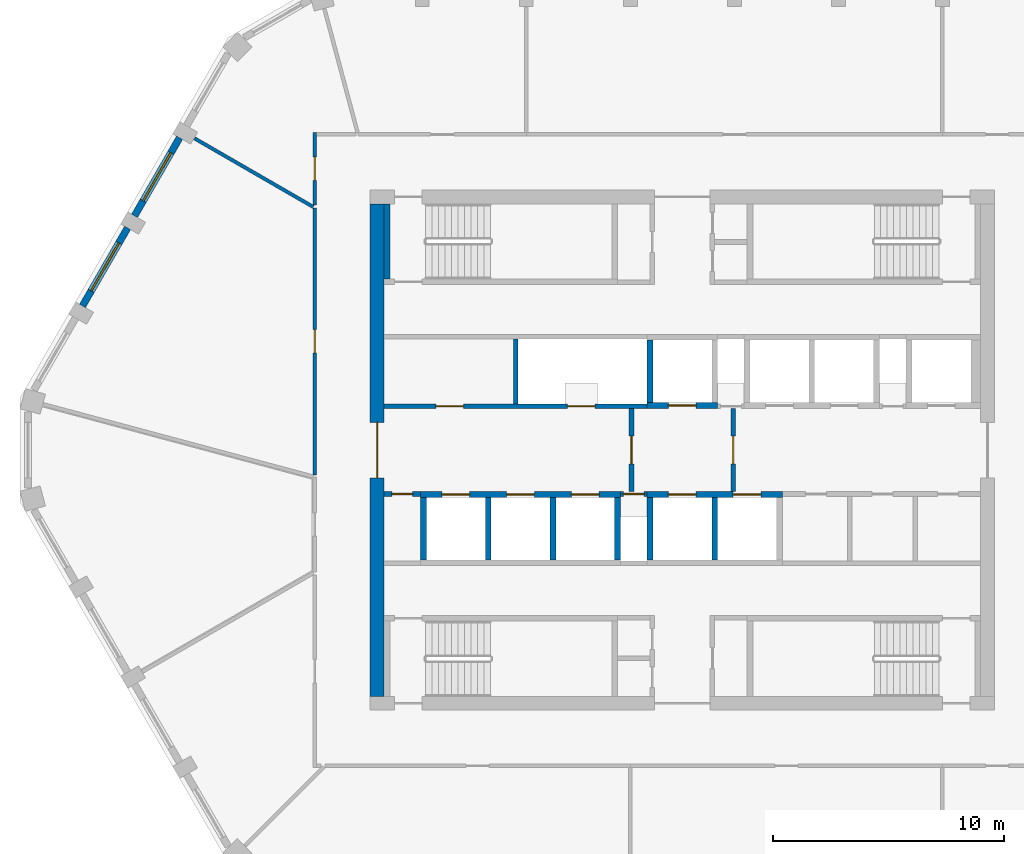
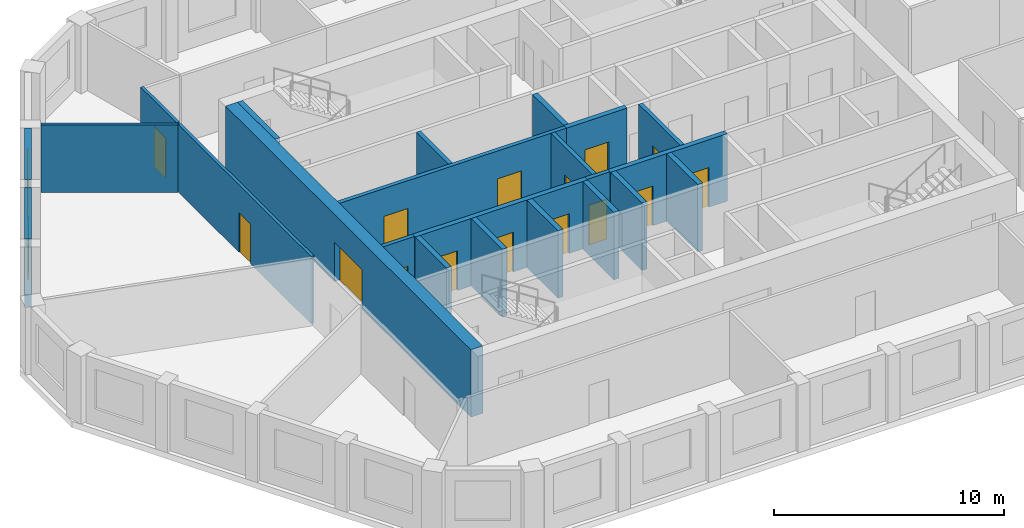
# One storey, part 3 of 9: 23 walls, 15 doors, 2 windows, 17 openings.
"""IFC4 building model written with IfcOpenShell, lengths in metres."""

from ifc_helpers import new_model, si_unit, direction, frame, frame_2d, origin, place, context, subcontext, project, spatial, polyline, rectangle, outline, extrude, material, layer, layer_set, type_object, element, fill, save


model = new_model("IFC4")

# Units and contexts
model_context = context("Model", 3, precision=1e-05, world=origin(), true_north=direction((0.0, 1.0)))
body_context = subcontext(model_context, "Body", "Model", "MODEL_VIEW")
ifc_project = project(units=[si_unit("LENGTHUNIT", "METRE"), si_unit("AREAUNIT", "SQUARE_METRE"), si_unit("VOLUMEUNIT", "CUBIC_METRE"), si_unit("PLANEANGLEUNIT", "RADIAN"), si_unit("MASSUNIT", "GRAM", prefix="KILO")], contexts=[model_context])

# Site, building, storey
site_placement = place(None, origin())
site = spatial("IfcSite", under=ifc_project, at=site_placement, CompositionType="ELEMENT")
building_placement = place(site_placement, origin())
building = spatial("IfcBuilding", under=site, at=building_placement, Name="Dhurran Vertical Campus", CompositionType="ELEMENT")
storey_placement = place(building_placement, frame((0.0, 0.0, 290.39990234375)))
storey = spatial("IfcBuildingStorey", under=building, at=storey_placement, Name="L72", CompositionType="ELEMENT", Elevation=290.39990234375)

# Wall, opening, window
ifc_material_1 = material(Name="Precast concrete C50/60", Category="concrete")
ifc_layer_1 = layer(ifc_material_1, 0.300048828125)
ifc_layer_set_1 = layer_set([ifc_layer_1], Name="Precast concrete C50/60")
wall_type_1 = type_object("IfcWallType", Name="Precast spandrel wall 300", PredefinedType="SOLIDWALL", material=ifc_layer_set_1)
wall_1_placement = place(storey_placement, frame((-21.744384765625, 13.506103515625, 0.0), z_axis=(0.0, 0.0, 1.0), x_axis=(-0.499984428715, -0.866034393683, 0.0)))
wall_1 = element("IfcWall", 1, at=wall_1_placement, inside=storey, type_object=wall_type_1, Name="EW1 L72.27", PredefinedType="SOLIDWALL", context=body_context, shape_type="SweptSolid", body=[
    extrude(rectangle(XDim=3.89892578125, YDim=0.300048828125, at=frame_2d((1.949462890625, 0.0))), origin(), (0.0, 0.0, 1.0), 3.5751953125),
])
opening_1_placement = place(wall_1_placement, frame((0.74951171875, 0.0, 0.89990234375)))
opening_1 = element("IfcOpeningElement", 2, at=opening_1_placement, cuts=wall_1, Name="Opening WT1", PredefinedType="OPENING", context=body_context, shape_type="SweptSolid", body=[
    extrude(rectangle(XDim=2.39990234375, YDim=2.10009765625, at=frame_2d((1.199951171875, 1.050048828125))), frame((0.0, 0.159912109375, 0.0), z_axis=(0.0, -1.0, 0.0), x_axis=(1.0, 0.0, 0.0)), (0.0, 0.0, 1.0), 0.320068359375),
])
ifc_material_2 = material(Name="Aluminium frame with solar-control glass", Category="aluminium")
window_type = type_object("IfcWindowType", Name="Punched window 2400 x 2100", PartitioningType="SINGLE_PANEL", PredefinedType="WINDOW", material=ifc_material_2)
window_1_placement = place(opening_1_placement, origin())
window_1 = element("IfcWindow", 3, at=window_1_placement, inside=storey, type_object=window_type, Name="WT1 L72.27", OverallHeight=2.10009765625, OverallWidth=2.39990234375, PartitioningType="SINGLE_PANEL", PredefinedType="WINDOW", context=body_context, shape_type="SweptSolid", body=[
    extrude(rectangle(XDim=2.39990234375, YDim=2.10009765625, at=frame_2d((1.199951171875, 1.050048828125))), frame((0.0, 0.030029296875, 0.0), z_axis=(0.0, -1.0, 0.0), x_axis=(1.0, 0.0, 0.0)), (0.0, 0.0, 1.0), 0.06005859375),
])
fill(opening_1, window_1)

wall_2_placement = place(storey_placement, frame((-23.994384765625, 9.60888671875, 0.0), z_axis=(0.0, 0.0, 1.0), x_axis=(-0.500011542666, -0.866018739521, 0.0)))
wall_2 = element("IfcWall", 4, at=wall_2_placement, inside=storey, type_object=wall_type_1, Name="EW1 L72.28", PredefinedType="SOLIDWALL", context=body_context, shape_type="SweptSolid", body=[
    extrude(rectangle(XDim=3.89892578125, YDim=0.300048828125, at=frame_2d((1.949462890625, 0.0))), origin(), (0.0, 0.0, 1.0), 3.5751953125),
])
opening_2_placement = place(wall_2_placement, frame((0.74951171875, 0.0, 0.89990234375)))
opening_2 = element("IfcOpeningElement", 5, at=opening_2_placement, cuts=wall_2, Name="Opening WT1", PredefinedType="OPENING", context=body_context, shape_type="SweptSolid", body=[
    extrude(rectangle(XDim=2.39990234375, YDim=2.10009765625, at=frame_2d((1.199951171875, 1.050048828125))), frame((0.0, 0.159912109375, 0.0), z_axis=(0.0, -1.0, 0.0), x_axis=(1.0, 0.0, 0.0)), (0.0, 0.0, 1.0), 0.320068359375),
])
window_2_placement = place(opening_2_placement, origin())
window_2 = element("IfcWindow", 6, at=window_2_placement, inside=storey, type_object=window_type, Name="WT1 L72.28", OverallHeight=2.10009765625, OverallWidth=2.39990234375, PartitioningType="SINGLE_PANEL", PredefinedType="WINDOW", context=body_context, shape_type="SweptSolid", body=[
    extrude(rectangle(XDim=2.39990234375, YDim=2.10009765625, at=frame_2d((1.199951171875, 1.050048828125))), frame((0.0, 0.030029296875, 0.0), z_axis=(0.0, -1.0, 0.0), x_axis=(1.0, 0.0, 0.0)), (0.0, 0.0, 1.0), 0.06005859375),
])
fill(opening_2, window_2)

# Wall, opening, door
ifc_material_3 = material(Name="Concrete C50/60", Category="concrete")
ifc_layer_2 = layer(ifc_material_3, 0.60009765625)
ifc_layer_set_2 = layer_set([ifc_layer_2], Name="Concrete C50/60")
wall_type_2 = type_object("IfcWallType", Name="co-CORE-WALL-C2-600", PredefinedType="SHEAR", material=ifc_layer_set_2)
wall_3_placement = place(storey_placement, frame((-13.199951171875, -10.64990234375, 0.0), z_axis=(0.0, 0.0, 1.0), x_axis=(0.0, 1.0, 0.0)))
wall_3 = element("IfcWall", 7, at=wall_3_placement, inside=storey, type_object=wall_type_2, Name="Core wall W L72", PredefinedType="SHEAR", context=body_context, shape_type="SweptSolid", body=[
    extrude(rectangle(XDim=21.2998046875, YDim=0.60009765625, at=frame_2d((10.64990234375, 0.0))), origin(), (0.0, 0.0, 1.0), 3.5751953125),
])
opening_3_placement = place(wall_3_placement, frame((9.449951171875, 0.0, 0.0)))
opening_3 = element("IfcOpeningElement", 8, at=opening_3_placement, cuts=wall_3, Name="Opening CL1", PredefinedType="OPENING", context=body_context, shape_type="SweptSolid", body=[
    extrude(rectangle(XDim=2.39990234375, YDim=2.10009765625, at=frame_2d((1.199951171875, 1.050048828125))), frame((0.0, 0.31005859375, 0.0), z_axis=(0.0, -1.0, 0.0), x_axis=(1.0, 0.0, 0.0)), (0.0, 0.0, 1.0), 0.6201171875),
])
ifc_material_4 = material(Name="Fire-rated glazed door set")
door_type_1 = type_object("IfcDoorType", Name="co-D-LOBBY 2400x2100", OperationType="DOUBLE_DOOR_DOUBLE_SWING", PredefinedType="DOOR", material=ifc_material_4)
door_1_placement = place(opening_3_placement, origin())
door_1 = element("IfcDoor", 9, at=door_1_placement, inside=storey, type_object=door_type_1, Name="Lift lobby door W L72", OperationType="DOUBLE_DOOR_DOUBLE_SWING", OverallHeight=2.10009765625, OverallWidth=2.39990234375, PredefinedType="DOOR", context=body_context, shape_type="SweptSolid", body=[
    extrude(rectangle(XDim=2.39990234375, YDim=2.10009765625, at=frame_2d((1.199951171875, 1.050048828125))), frame((0.0, 0.02490234375, 0.0), z_axis=(0.0, -1.0, 0.0), x_axis=(1.0, 0.0, 0.0)), (0.0, 0.0, 1.0), 0.050048828125),
])
fill(opening_3, door_1)

ifc_material_5 = material(Name="Fire-rated masonry blockwork", Category="masonry")
ifc_layer_3 = layer(ifc_material_5, 0.199951171875)
ifc_layer_set_3 = layer_set([ifc_layer_3], Name="Fire-rated masonry blockwork")
wall_type_3 = type_object("IfcWallType", Name="co-FIRE-PARTITION-200", PredefinedType="PARTITIONING", material=ifc_layer_set_3)
wall_4_placement = place(storey_placement, frame((-2.199951171875, -1.800048828125, 0.0), z_axis=(0.0, 0.0, 1.0), x_axis=(0.0, 1.0, 0.0)))
wall_4 = element("IfcWall", 10, at=wall_4_placement, inside=storey, type_object=wall_type_3, Name="Firefighting lobby wall W L72", PredefinedType="PARTITIONING", context=body_context, shape_type="SweptSolid", body=[
    extrude(rectangle(XDim=3.60009765625, YDim=0.199951171875, at=frame_2d((1.800048828125, 0.0))), origin(), (0.0, 0.0, 1.0), 3.5751953125),
])
opening_4_placement = place(wall_4_placement, frame((1.199951171875, 0.0, 0.0)))
opening_4 = element("IfcOpeningElement", 11, at=opening_4_placement, cuts=wall_4, Name="Opening FL1", PredefinedType="OPENING", context=body_context, shape_type="SweptSolid", body=[
    extrude(rectangle(XDim=1.199951171875, YDim=2.10009765625, at=frame_2d((0.60009765625, 1.050048828125))), frame((0.0, 0.10986328125, 0.0), z_axis=(0.0, -1.0, 0.0), x_axis=(1.0, 0.0, 0.0)), (0.0, 0.0, 1.0), 0.219970703125),
])
ifc_material_6 = material(Name="Fire-rated steel door set", Category="steel")
door_type_2 = type_object("IfcDoorType", Name="co-D-FFLOBBY 1200x2100", OperationType="SINGLE_SWING_LEFT", PredefinedType="DOOR", material=ifc_material_6)
door_2_placement = place(opening_4_placement, origin())
door_2 = element("IfcDoor", 12, at=door_2_placement, inside=storey, type_object=door_type_2, Name="Firefighting lobby door W L72", OperationType="SINGLE_SWING_LEFT", OverallHeight=2.10009765625, OverallWidth=1.199951171875, PredefinedType="DOOR", context=body_context, shape_type="SweptSolid", body=[
    extrude(rectangle(XDim=1.199951171875, YDim=2.10009765625, at=frame_2d((0.60009765625, 1.050048828125))), frame((0.0, 0.02490234375, 0.0), z_axis=(0.0, -1.0, 0.0), x_axis=(1.0, 0.0, 0.0)), (0.0, 0.0, 1.0), 0.050048828125),
])
fill(opening_4, door_2)

wall_5_placement = place(storey_placement, frame((2.199951171875, -1.800048828125, 0.0), z_axis=(0.0, 0.0, 1.0), x_axis=(0.0, 1.0, 0.0)))
wall_5 = element("IfcWall", 13, at=wall_5_placement, inside=storey, type_object=wall_type_3, Name="Firefighting lobby wall E L72", PredefinedType="PARTITIONING", context=body_context, shape_type="SweptSolid", body=[
    extrude(rectangle(XDim=3.60009765625, YDim=0.199951171875, at=frame_2d((1.800048828125, 0.0))), origin(), (0.0, 0.0, 1.0), 3.5751953125),
])
opening_5_placement = place(wall_5_placement, frame((1.199951171875, 0.0, 0.0)))
opening_5 = element("IfcOpeningElement", 14, at=opening_5_placement, cuts=wall_5, Name="Opening FL2", PredefinedType="OPENING", context=body_context, shape_type="SweptSolid", body=[
    extrude(rectangle(XDim=1.199951171875, YDim=2.10009765625, at=frame_2d((0.60009765625, 1.050048828125))), frame((0.0, 0.10986328125, 0.0), z_axis=(0.0, -1.0, 0.0), x_axis=(1.0, 0.0, 0.0)), (0.0, 0.0, 1.0), 0.219970703125),
])
door_3_placement = place(opening_5_placement, origin())
door_3 = element("IfcDoor", 15, at=door_3_placement, inside=storey, type_object=door_type_2, Name="Firefighting lobby door E L72", OperationType="SINGLE_SWING_LEFT", OverallHeight=2.10009765625, OverallWidth=1.199951171875, PredefinedType="DOOR", context=body_context, shape_type="SweptSolid", body=[
    extrude(rectangle(XDim=1.199951171875, YDim=2.10009765625, at=frame_2d((0.60009765625, 1.050048828125))), frame((0.0, 0.02490234375, 0.0), z_axis=(0.0, -1.0, 0.0), x_axis=(1.0, 0.0, 0.0)), (0.0, 0.0, 1.0), 0.050048828125),
])
fill(opening_5, door_3)

# Wall
wall_6_placement = place(storey_placement, frame((-7.21240234375, 2.0, 0.0), z_axis=(0.0, 0.0, 1.0), x_axis=(0.0, 1.0, 0.0)))
element("IfcWall", 16, at=wall_6_placement, inside=storey, type_object=wall_type_3, Name="Core partition fr-N0-cut0 L72", PredefinedType="PARTITIONING", context=body_context, shape_type="SweptSolid", body=[
    extrude(rectangle(XDim=2.800048828125, YDim=0.199951171875, at=frame_2d((1.39990234375, 0.0))), origin(), (0.0, 0.0, 1.0), 3.5751953125),
])

# Wall, openings, doors
wall_7_placement = place(storey_placement, frame((-12.89990234375, 1.89990234375, 0.0), z_axis=(0.0, 0.0, 1.0), x_axis=(1.0, 0.0, 0.0)))
wall_7 = element("IfcWall", 17, at=wall_7_placement, inside=storey, type_object=wall_type_3, Name="Core partition fr-N0-f L72", PredefinedType="PARTITIONING", context=body_context, shape_type="SweptSolid", body=[
    extrude(rectangle(XDim=11.375, YDim=0.199951171875, at=frame_2d((5.6875, 0.0))), origin(), (0.0, 0.0, 1.0), 3.5751953125),
])
opening_6_placement = place(wall_7_placement, frame((2.243896484375, 0.0, 0.0)))
opening_6 = element("IfcOpeningElement", 18, at=opening_6_placement, cuts=wall_7, Name="Opening T21-C7", PredefinedType="OPENING", context=body_context, shape_type="SweptSolid", body=[
    extrude(rectangle(XDim=1.199951171875, YDim=2.10009765625, at=frame_2d((0.60009765625, 1.050048828125))), frame((0.0, 0.10986328125, 0.0), z_axis=(0.0, -1.0, 0.0), x_axis=(1.0, 0.0, 0.0)), (0.0, 0.0, 1.0), 0.219970703125),
])
opening_7_placement = place(wall_7_placement, frame((7.931396484375, 0.0, 0.0)))
opening_7 = element("IfcOpeningElement", 19, at=opening_7_placement, cuts=wall_7, Name="Opening T21-C8", PredefinedType="OPENING", context=body_context, shape_type="SweptSolid", body=[
    extrude(rectangle(XDim=1.199951171875, YDim=2.10009765625, at=frame_2d((0.60009765625, 1.050048828125))), frame((0.0, 0.10986328125, 0.0), z_axis=(0.0, -1.0, 0.0), x_axis=(1.0, 0.0, 0.0)), (0.0, 0.0, 1.0), 0.219970703125),
])
ifc_material_7 = material(Name="Fire-rated steel door set", Category="steel")
door_type_3 = type_object("IfcDoorType", Name="co-D-ROOM-PASSAGE 1200x2100", OperationType="SINGLE_SWING_RIGHT", PredefinedType="DOOR", material=ifc_material_7)
door_4_placement = place(opening_6_placement, origin())
door_4 = element("IfcDoor", 20, at=door_4_placement, inside=storey, type_object=door_type_3, Name="Store door L72", OperationType="SINGLE_SWING_RIGHT", OverallHeight=2.10009765625, OverallWidth=1.199951171875, PredefinedType="DOOR", context=body_context, shape_type="SweptSolid", body=[
    extrude(rectangle(XDim=1.199951171875, YDim=2.10009765625, at=frame_2d((0.60009765625, 1.050048828125))), frame((0.0, 0.02490234375, 0.0), z_axis=(0.0, -1.0, 0.0), x_axis=(1.0, 0.0, 0.0)), (0.0, 0.0, 1.0), 0.050048828125),
])
fill(opening_6, door_4)
door_5_placement = place(opening_7_placement, origin())
door_5 = element("IfcDoor", 21, at=door_5_placement, inside=storey, type_object=door_type_3, Name="Electrical riser door L72", OperationType="SINGLE_SWING_RIGHT", OverallHeight=2.10009765625, OverallWidth=1.199951171875, PredefinedType="DOOR", context=body_context, shape_type="SweptSolid", body=[
    extrude(rectangle(XDim=1.199951171875, YDim=2.10009765625, at=frame_2d((0.60009765625, 1.050048828125))), frame((0.0, 0.02490234375, 0.0), z_axis=(0.0, -1.0, 0.0), x_axis=(1.0, 0.0, 0.0)), (0.0, 0.0, 1.0), 0.050048828125),
])
fill(opening_7, door_5)

# Wall, opening, door
wall_8_placement = place(storey_placement, frame((-12.89990234375, -1.89990234375, 0.0), z_axis=(0.0, 0.0, 1.0), x_axis=(1.0, 0.0, 0.0)))
wall_8 = element("IfcWall", 22, at=wall_8_placement, inside=storey, type_object=wall_type_3, Name="Core partition fr-S0-f L72", PredefinedType="PARTITIONING", context=body_context, shape_type="SweptSolid", body=[
    extrude(rectangle(XDim=1.574951171875, YDim=0.199951171875, at=frame_2d((0.78759765625, 0.0))), origin(), (0.0, 0.0, 1.0), 3.5751953125),
])
opening_8_placement = place(wall_8_placement, frame((0.33740234375, 0.0, 0.0)))
opening_8 = element("IfcOpeningElement", 23, at=opening_8_placement, cuts=wall_8, Name="Opening T21-C11", PredefinedType="OPENING", context=body_context, shape_type="SweptSolid", body=[
    extrude(rectangle(XDim=0.89990234375, YDim=2.10009765625, at=frame_2d((0.449951171875, 1.050048828125))), frame((0.0, 0.10986328125, 0.0), z_axis=(0.0, -1.0, 0.0), x_axis=(1.0, 0.0, 0.0)), (0.0, 0.0, 1.0), 0.219970703125),
])
ifc_material_8 = material(Name="Fire-rated timber door set", Category="wood")
door_type_4 = type_object("IfcDoorType", Name="co-D-ROOM 900x2100", OperationType="SINGLE_SWING_LEFT", PredefinedType="DOOR", material=ifc_material_8)
door_6_placement = place(opening_8_placement, origin())
door_6 = element("IfcDoor", 24, at=door_6_placement, inside=storey, type_object=door_type_4, Name="Cleaner's store door L72", OperationType="SINGLE_SWING_LEFT", OverallHeight=2.10009765625, OverallWidth=0.89990234375, PredefinedType="DOOR", context=body_context, shape_type="SweptSolid", body=[
    extrude(rectangle(XDim=0.89990234375, YDim=2.10009765625, at=frame_2d((0.449951171875, 1.050048828125))), frame((0.0, 0.02490234375, 0.0), z_axis=(0.0, -1.0, 0.0), x_axis=(1.0, 0.0, 0.0)), (0.0, 0.0, 1.0), 0.050048828125),
])
fill(opening_8, door_6)

wall_9_placement = place(storey_placement, frame((-2.675048828125, -1.89990234375, 0.0), z_axis=(0.0, 0.0, 1.0), x_axis=(1.0, 0.0, 0.0)))
wall_9 = element("IfcWall", 25, at=wall_9_placement, inside=storey, type_object=wall_type_3, Name="Core partition fr-S1-f L72", PredefinedType="PARTITIONING", context=body_context, shape_type="SweptSolid", body=[
    extrude(rectangle(XDim=1.150146484375, YDim=0.199951171875, at=frame_2d((0.5751953125, 0.0))), origin(), (0.0, 0.0, 1.0), 3.5751953125),
])
opening_9_placement = place(wall_9_placement, frame((0.125, 0.0, 0.0)))
opening_9 = element("IfcOpeningElement", 26, at=opening_9_placement, cuts=wall_9, Name="Opening T21-C12", PredefinedType="OPENING", context=body_context, shape_type="SweptSolid", body=[
    extrude(rectangle(XDim=0.89990234375, YDim=2.10009765625, at=frame_2d((0.449951171875, 1.050048828125))), frame((0.0, 0.10986328125, 0.0), z_axis=(0.0, -1.0, 0.0), x_axis=(1.0, 0.0, 0.0)), (0.0, 0.0, 1.0), 0.219970703125),
])
door_7_placement = place(opening_9_placement, origin())
door_7 = element("IfcDoor", 27, at=door_7_placement, inside=storey, type_object=door_type_4, Name="Electrical riser door L72", OperationType="SINGLE_SWING_LEFT", OverallHeight=2.10009765625, OverallWidth=0.89990234375, PredefinedType="DOOR", context=body_context, shape_type="SweptSolid", body=[
    extrude(rectangle(XDim=0.89990234375, YDim=2.10009765625, at=frame_2d((0.449951171875, 1.050048828125))), frame((0.0, 0.02490234375, 0.0), z_axis=(0.0, -1.0, 0.0), x_axis=(1.0, 0.0, 0.0)), (0.0, 0.0, 1.0), 0.050048828125),
])
fill(opening_9, door_7)

ifc_material_9 = material(Name="Concrete C50/60", Category="concrete")
ifc_layer_4 = layer(ifc_material_9, 0.25)
ifc_layer_set_4 = layer_set([ifc_layer_4], Name="Concrete C50/60")
wall_type_4 = type_object("IfcWallType", Name="co-SHAFT-FRONT-250", PredefinedType="SHEAR", material=ifc_layer_set_4)
wall_10_placement = place(storey_placement, frame((-1.52490234375, 1.925048828125, 0.0), z_axis=(0.0, 0.0, 1.0), x_axis=(1.0, 0.0, 0.0)))
wall_10 = element("IfcWall", 28, at=wall_10_placement, inside=storey, type_object=wall_type_4, Name="Lift landing wall N L72", PredefinedType="SHEAR", context=body_context, shape_type="SweptSolid", body=[
    extrude(rectangle(XDim=3.0498046875, YDim=0.25, at=frame_2d((1.52490234375, 0.0))), origin(), (0.0, 0.0, 1.0), 3.5751953125),
])
opening_10_placement = place(wall_10_placement, frame((0.925048828125, 0.0, 0.0)))
opening_10 = element("IfcOpeningElement", 29, at=opening_10_placement, cuts=wall_10, Name="Opening LD", PredefinedType="OPENING", context=body_context, shape_type="SweptSolid", body=[
    extrude(rectangle(XDim=1.199951171875, YDim=2.10009765625, at=frame_2d((0.60009765625, 1.050048828125))), frame((0.0, 0.135009765625, 0.0), z_axis=(0.0, -1.0, 0.0), x_axis=(1.0, 0.0, 0.0)), (0.0, 0.0, 1.0), 0.27001953125),
])
ifc_material_10 = material(Name="Stainless steel landing door", Category="steel")
door_type_5 = type_object("IfcDoorType", Name="co-D-LANDING 1200x2100", OperationType="DOUBLE_DOOR_SLIDING", PredefinedType="DOOR", material=ifc_material_10)
door_8_placement = place(opening_10_placement, origin())
door_8 = element("IfcDoor", 30, at=door_8_placement, inside=storey, type_object=door_type_5, Name="Landing door FF1 L72", OperationType="DOUBLE_DOOR_SLIDING", OverallHeight=2.10009765625, OverallWidth=1.199951171875, PredefinedType="DOOR", context=body_context, shape_type="SweptSolid", body=[
    extrude(rectangle(XDim=1.199951171875, YDim=2.10009765625, at=frame_2d((0.60009765625, 1.050048828125))), frame((0.0, 0.02490234375, 0.0), z_axis=(0.0, -1.0, 0.0), x_axis=(1.0, 0.0, 0.0)), (0.0, 0.0, 1.0), 0.050048828125),
])
fill(opening_10, door_8)

# Wall, openings, doors
wall_11_placement = place(storey_placement, frame((-11.324951171875, -1.925048828125, 0.0), z_axis=(0.0, 0.0, 1.0), x_axis=(1.0, 0.0, 0.0)))
wall_11 = element("IfcWall", 31, at=wall_11_placement, inside=storey, type_object=wall_type_4, Name="Lift landing wall S L72", PredefinedType="SHEAR", context=body_context, shape_type="SweptSolid", body=[
    extrude(rectangle(XDim=8.64990234375, YDim=0.25, at=frame_2d((4.324951171875, 0.0))), origin(), (0.0, 0.0, 1.0), 3.5751953125),
])
opening_11_placement = place(wall_11_placement, frame((0.925048828125, 0.0, 0.0)))
opening_11 = element("IfcOpeningElement", 32, at=opening_11_placement, cuts=wall_11, Name="Opening LD", PredefinedType="OPENING", context=body_context, shape_type="SweptSolid", body=[
    extrude(rectangle(XDim=1.199951171875, YDim=2.10009765625, at=frame_2d((0.60009765625, 1.050048828125))), frame((0.0, 0.135009765625, 0.0), z_axis=(0.0, -1.0, 0.0), x_axis=(1.0, 0.0, 0.0)), (0.0, 0.0, 1.0), 0.27001953125),
])
opening_12_placement = place(wall_11_placement, frame((3.72509765625, 0.0, 0.0)))
opening_12 = element("IfcOpeningElement", 33, at=opening_12_placement, cuts=wall_11, Name="Opening LD", PredefinedType="OPENING", context=body_context, shape_type="SweptSolid", body=[
    extrude(rectangle(XDim=1.199951171875, YDim=2.10009765625, at=frame_2d((0.60009765625, 1.050048828125))), frame((0.0, 0.135009765625, 0.0), z_axis=(0.0, -1.0, 0.0), x_axis=(1.0, 0.0, 0.0)), (0.0, 0.0, 1.0), 0.27001953125),
])
opening_13_placement = place(wall_11_placement, frame((6.52490234375, 0.0, 0.0)))
opening_13 = element("IfcOpeningElement", 34, at=opening_13_placement, cuts=wall_11, Name="Opening LD", PredefinedType="OPENING", context=body_context, shape_type="SweptSolid", body=[
    extrude(rectangle(XDim=1.199951171875, YDim=2.10009765625, at=frame_2d((0.60009765625, 1.050048828125))), frame((0.0, 0.135009765625, 0.0), z_axis=(0.0, -1.0, 0.0), x_axis=(1.0, 0.0, 0.0)), (0.0, 0.0, 1.0), 0.27001953125),
])
door_9_placement = place(opening_11_placement, origin())
door_9 = element("IfcDoor", 35, at=door_9_placement, inside=storey, type_object=door_type_5, Name="Landing door HR3 L72", OperationType="DOUBLE_DOOR_SLIDING", OverallHeight=2.10009765625, OverallWidth=1.199951171875, PredefinedType="DOOR", context=body_context, shape_type="SweptSolid", body=[
    extrude(rectangle(XDim=1.199951171875, YDim=2.10009765625, at=frame_2d((0.60009765625, 1.050048828125))), frame((0.0, 0.02490234375, 0.0), z_axis=(0.0, -1.0, 0.0), x_axis=(1.0, 0.0, 0.0)), (0.0, 0.0, 1.0), 0.050048828125),
])
fill(opening_11, door_9)
door_10_placement = place(opening_12_placement, origin())
door_10 = element("IfcDoor", 36, at=door_10_placement, inside=storey, type_object=door_type_5, Name="Landing door HR4 L72", OperationType="DOUBLE_DOOR_SLIDING", OverallHeight=2.10009765625, OverallWidth=1.199951171875, PredefinedType="DOOR", context=body_context, shape_type="SweptSolid", body=[
    extrude(rectangle(XDim=1.199951171875, YDim=2.10009765625, at=frame_2d((0.60009765625, 1.050048828125))), frame((0.0, 0.02490234375, 0.0), z_axis=(0.0, -1.0, 0.0), x_axis=(1.0, 0.0, 0.0)), (0.0, 0.0, 1.0), 0.050048828125),
])
fill(opening_12, door_10)
door_11_placement = place(opening_13_placement, origin())
door_11 = element("IfcDoor", 37, at=door_11_placement, inside=storey, type_object=door_type_5, Name="Landing door HR5 L72", OperationType="DOUBLE_DOOR_SLIDING", OverallHeight=2.10009765625, OverallWidth=1.199951171875, PredefinedType="DOOR", context=body_context, shape_type="SweptSolid", body=[
    extrude(rectangle(XDim=1.199951171875, YDim=2.10009765625, at=frame_2d((0.60009765625, 1.050048828125))), frame((0.0, 0.02490234375, 0.0), z_axis=(0.0, -1.0, 0.0), x_axis=(1.0, 0.0, 0.0)), (0.0, 0.0, 1.0), 0.050048828125),
])
fill(opening_13, door_11)

wall_12_placement = place(storey_placement, frame((-1.52490234375, -1.925048828125, 0.0), z_axis=(0.0, 0.0, 1.0), x_axis=(1.0, 0.0, 0.0)))
wall_12 = element("IfcWall", 38, at=wall_12_placement, inside=storey, type_object=wall_type_4, Name="Lift landing wall S L72", PredefinedType="SHEAR", context=body_context, shape_type="SweptSolid", body=[
    extrude(rectangle(XDim=5.849853515625, YDim=0.25, at=frame_2d((2.9248046875, 0.0))), origin(), (0.0, 0.0, 1.0), 3.5751953125),
])
opening_14_placement = place(wall_12_placement, frame((0.925048828125, 0.0, 0.0)))
opening_14 = element("IfcOpeningElement", 39, at=opening_14_placement, cuts=wall_12, Name="Opening LD", PredefinedType="OPENING", context=body_context, shape_type="SweptSolid", body=[
    extrude(rectangle(XDim=1.199951171875, YDim=2.10009765625, at=frame_2d((0.60009765625, 1.050048828125))), frame((0.0, 0.135009765625, 0.0), z_axis=(0.0, -1.0, 0.0), x_axis=(1.0, 0.0, 0.0)), (0.0, 0.0, 1.0), 0.27001953125),
])
opening_15_placement = place(wall_12_placement, frame((3.72509765625, 0.0, 0.0)))
opening_15 = element("IfcOpeningElement", 40, at=opening_15_placement, cuts=wall_12, Name="Opening LD", PredefinedType="OPENING", context=body_context, shape_type="SweptSolid", body=[
    extrude(rectangle(XDim=1.199951171875, YDim=2.10009765625, at=frame_2d((0.60009765625, 1.050048828125))), frame((0.0, 0.135009765625, 0.0), z_axis=(0.0, -1.0, 0.0), x_axis=(1.0, 0.0, 0.0)), (0.0, 0.0, 1.0), 0.27001953125),
])
door_12_placement = place(opening_14_placement, origin())
door_12 = element("IfcDoor", 41, at=door_12_placement, inside=storey, type_object=door_type_5, Name="Landing door FF2 L72", OperationType="DOUBLE_DOOR_SLIDING", OverallHeight=2.10009765625, OverallWidth=1.199951171875, PredefinedType="DOOR", context=body_context, shape_type="SweptSolid", body=[
    extrude(rectangle(XDim=1.199951171875, YDim=2.10009765625, at=frame_2d((0.60009765625, 1.050048828125))), frame((0.0, 0.02490234375, 0.0), z_axis=(0.0, -1.0, 0.0), x_axis=(1.0, 0.0, 0.0)), (0.0, 0.0, 1.0), 0.050048828125),
])
fill(opening_14, door_12)
door_13_placement = place(opening_15_placement, origin())
door_13 = element("IfcDoor", 42, at=door_13_placement, inside=storey, type_object=door_type_5, Name="Landing door SV1 L72", OperationType="DOUBLE_DOOR_SLIDING", OverallHeight=2.10009765625, OverallWidth=1.199951171875, PredefinedType="DOOR", context=body_context, shape_type="SweptSolid", body=[
    extrude(rectangle(XDim=1.199951171875, YDim=2.10009765625, at=frame_2d((0.60009765625, 1.050048828125))), frame((0.0, 0.02490234375, 0.0), z_axis=(0.0, -1.0, 0.0), x_axis=(1.0, 0.0, 0.0)), (0.0, 0.0, 1.0), 0.050048828125),
])
fill(opening_15, door_13)

# Walls
ifc_material_11 = material(Name="Concrete C50/60", Category="concrete")
ifc_layer_5 = layer(ifc_material_11, 0.25)
ifc_layer_set_5 = layer_set([ifc_layer_5], Name="Concrete C50/60")
wall_type_5 = type_object("IfcWallType", Name="co-SHAFT-MASS-250", PredefinedType="SHEAR", material=ifc_layer_set_5)
wall_13_placement = place(storey_placement, origin())
element("IfcWall", 43, at=wall_13_placement, inside=storey, type_object=wall_type_5, Name="Lift shaft wall N L72 4", PredefinedType="SHEAR", context=body_context, shape_type="SweptSolid", body=[
    extrude(outline(polyline([(-1.52490234375, 2.050048828125), (-1.27490234375, 2.050048828125), (-1.27490234375, 4.75), (-1.52490234375, 4.75), (-1.52490234375, 2.050048828125)])), origin(), (0.0, 0.0, 1.0), 3.5751953125),
])
wall_14_placement = place(storey_placement, origin())
element("IfcWall", 44, at=wall_14_placement, inside=storey, type_object=wall_type_5, Name="Lift shaft wall S L72 3", PredefinedType="SHEAR", context=body_context, shape_type="SweptSolid", body=[
    extrude(outline(polyline([(-11.324951171875, -4.75), (-11.074951171875, -4.75), (-11.074951171875, -2.050048828125), (-11.324951171875, -2.050048828125), (-11.324951171875, -4.75)])), origin(), (0.0, 0.0, 1.0), 3.5751953125),
])
wall_15_placement = place(storey_placement, origin())
element("IfcWall", 45, at=wall_15_placement, inside=storey, type_object=wall_type_5, Name="Lift shaft wall S L72 4", PredefinedType="SHEAR", context=body_context, shape_type="SweptSolid", body=[
    extrude(outline(polyline([(-8.52490234375, -4.75), (-8.27490234375, -4.75), (-8.27490234375, -2.050048828125), (-8.52490234375, -2.050048828125), (-8.52490234375, -4.75)])), origin(), (0.0, 0.0, 1.0), 3.5751953125),
])
wall_16_placement = place(storey_placement, origin())
element("IfcWall", 46, at=wall_16_placement, inside=storey, type_object=wall_type_5, Name="Lift shaft wall S L72 5", PredefinedType="SHEAR", context=body_context, shape_type="SweptSolid", body=[
    extrude(outline(polyline([(-5.72509765625, -4.75), (-5.47509765625, -4.75), (-5.47509765625, -2.050048828125), (-5.72509765625, -2.050048828125), (-5.72509765625, -4.75)])), origin(), (0.0, 0.0, 1.0), 3.5751953125),
])
wall_17_placement = place(storey_placement, origin())
element("IfcWall", 47, at=wall_17_placement, inside=storey, type_object=wall_type_5, Name="Lift shaft wall S L72 6", PredefinedType="SHEAR", context=body_context, shape_type="SweptSolid", body=[
    extrude(outline(polyline([(-2.925048828125, -4.75), (-2.675048828125, -4.75), (-2.675048828125, -2.050048828125), (-2.925048828125, -2.050048828125), (-2.925048828125, -4.75)])), origin(), (0.0, 0.0, 1.0), 3.5751953125),
])
wall_18_placement = place(storey_placement, origin())
element("IfcWall", 48, at=wall_18_placement, inside=storey, type_object=wall_type_5, Name="Lift shaft wall S L72 7", PredefinedType="SHEAR", context=body_context, shape_type="SweptSolid", body=[
    extrude(outline(polyline([(-1.52490234375, -4.75), (-1.27490234375, -4.75), (-1.27490234375, -2.050048828125), (-1.52490234375, -2.050048828125), (-1.52490234375, -4.75)])), origin(), (0.0, 0.0, 1.0), 3.5751953125),
])
wall_19_placement = place(storey_placement, origin())
element("IfcWall", 49, at=wall_19_placement, inside=storey, type_object=wall_type_5, Name="Lift shaft wall S L72 8", PredefinedType="SHEAR", context=body_context, shape_type="SweptSolid", body=[
    extrude(outline(polyline([(1.27490234375, -4.75), (1.52490234375, -4.75), (1.52490234375, -2.050048828125), (1.27490234375, -2.050048828125), (1.27490234375, -4.75)])), origin(), (0.0, 0.0, 1.0), 3.5751953125),
])
ifc_material_12 = material(Name="Concrete C40/50", Category="concrete")
ifc_layer_6 = layer(ifc_material_12, 0.25)
ifc_layer_set_6 = layer_set([ifc_layer_6], Name="Concrete C40/50")
wall_type_6 = type_object("IfcWallType", Name="co-STAIR-WALL-250", PredefinedType="SHEAR", material=ifc_layer_set_6)
wall_20_placement = place(storey_placement, frame((-12.77490234375, 7.39990234375, 0.0), z_axis=(0.0, 0.0, 1.0), x_axis=(0.0, 1.0, 0.0)))
element("IfcWall", 50, at=wall_20_placement, inside=storey, type_object=wall_type_6, Name="Stair ST1 enclosure wall L72", PredefinedType="SHEAR", context=body_context, shape_type="SweptSolid", body=[
    extrude(rectangle(XDim=3.25, YDim=0.25, at=frame_2d((1.625, 0.0))), origin(), (0.0, 0.0, 1.0), 3.5751953125),
])

# Wall, opening, door
ifc_material_13 = material(Name="Gypsum board corridor wall on steel studs", Category="steel")
ifc_layer_7 = layer(ifc_material_13, 0.14990234375)
ifc_layer_set_7 = layer_set([ifc_layer_7], Name="Gypsum board corridor wall on steel studs")
wall_type_7 = type_object("IfcWallType", Name="fl-CW-150 corridor wall", PredefinedType="PARTITIONING", material=ifc_layer_set_7)
wall_21_placement = place(storey_placement, frame((-15.89990234375, 10.47900390625, 0.0), z_axis=(0.0, 0.0, 1.0), x_axis=(0.0, -1.0, 0.0)))
wall_21 = element("IfcWall", 51, at=wall_21_placement, inside=storey, type_object=wall_type_7, Name="Partition 72-08", PredefinedType="PARTITIONING", context=body_context, shape_type="SweptSolid", body=[
    extrude(rectangle(XDim=11.550048828125, YDim=0.14990234375, at=frame_2d((5.77490234375, 0.0))), origin(), (0.0, 0.0, 1.0), 3.5751953125),
])
opening_16_placement = place(wall_21_placement, frame((5.27490234375, 0.0, 0.0)))
opening_16 = element("IfcOpeningElement", 52, at=opening_16_placement, cuts=wall_21, Name="Opening T21.02", PredefinedType="OPENING", context=body_context, shape_type="SweptSolid", body=[
    extrude(rectangle(XDim=1.0, YDim=2.10009765625, at=frame_2d((0.5, 1.050048828125))), frame((0.0, 0.0849609375, 0.0), z_axis=(0.0, -1.0, 0.0), x_axis=(1.0, 0.0, 0.0)), (0.0, 0.0, 1.0), 0.169921875),
])
ifc_material_14 = material(Name="Solid-core timber door set, fire-rated", Category="wood")
door_type_6 = type_object("IfcDoorType", Name="fl-D-1000x2100", OperationType="SINGLE_SWING_LEFT", PredefinedType="DOOR", material=ifc_material_14)
door_14_placement = place(opening_16_placement, origin())
door_14 = element("IfcDoor", 53, at=door_14_placement, inside=storey, type_object=door_type_6, Name="Door 72.02", OperationType="SINGLE_SWING_RIGHT", OverallHeight=2.10009765625, OverallWidth=1.0, PredefinedType="DOOR", context=body_context, shape_type="SweptSolid", body=[
    extrude(rectangle(XDim=1.0, YDim=2.10009765625, at=frame_2d((0.5, 1.050048828125))), frame((0.0, 0.02490234375, 0.0), z_axis=(0.0, -1.0, 0.0), x_axis=(1.0, 0.0, 0.0)), (0.0, 0.0, 1.0), 0.050048828125),
])
fill(opening_16, door_14)

wall_22_placement = place(storey_placement, frame((-15.89990234375, 13.72509765625, 0.0), z_axis=(0.0, 0.0, 1.0), x_axis=(0.0, -1.0, 0.0)))
wall_22 = element("IfcWall", 54, at=wall_22_placement, inside=storey, type_object=wall_type_7, Name="Partition 72-09", PredefinedType="PARTITIONING", context=body_context, shape_type="SweptSolid", body=[
    extrude(rectangle(XDim=3.1162109375, YDim=0.14990234375, at=frame_2d((1.55810546875, 0.0))), origin(), (0.0, 0.0, 1.0), 3.5751953125),
])
opening_17_placement = place(wall_22_placement, frame((1.05810546875, 0.0, 0.0)))
opening_17 = element("IfcOpeningElement", 55, at=opening_17_placement, cuts=wall_22, Name="Opening T21.04", PredefinedType="OPENING", context=body_context, shape_type="SweptSolid", body=[
    extrude(rectangle(XDim=1.0, YDim=2.10009765625, at=frame_2d((0.5, 1.050048828125))), frame((0.0, 0.0849609375, 0.0), z_axis=(0.0, -1.0, 0.0), x_axis=(1.0, 0.0, 0.0)), (0.0, 0.0, 1.0), 0.169921875),
])
door_15_placement = place(opening_17_placement, origin())
door_15 = element("IfcDoor", 56, at=door_15_placement, inside=storey, type_object=door_type_6, Name="Door 72.04", OperationType="SINGLE_SWING_LEFT", OverallHeight=2.10009765625, OverallWidth=1.0, PredefinedType="DOOR", context=body_context, shape_type="SweptSolid", body=[
    extrude(rectangle(XDim=1.0, YDim=2.10009765625, at=frame_2d((0.5, 1.050048828125))), frame((0.0, 0.02490234375, 0.0), z_axis=(0.0, -1.0, 0.0), x_axis=(1.0, 0.0, 0.0)), (0.0, 0.0, 1.0), 0.050048828125),
])
fill(opening_17, door_15)

# Wall
ifc_material_15 = material(Name="Gypsum board partition on steel studs", Category="steel")
ifc_layer_8 = layer(ifc_material_15, 0.14990234375)
ifc_layer_set_8 = layer_set([ifc_layer_8], Name="Gypsum board partition on steel studs")
wall_type_8 = type_object("IfcWallType", Name="fl-PW-150 fixed partition", PredefinedType="PARTITIONING", material=ifc_layer_set_8)
wall_23_placement = place(storey_placement, frame((-21.100341796875, 13.481201171875, 0.0), z_axis=(0.0, 0.0, 1.0), x_axis=(0.866042974482, -0.499969565424, 0.0)))
element("IfcWall", 57, at=wall_23_placement, inside=storey, type_object=wall_type_8, Name="Partition 72-03", PredefinedType="PARTITIONING", context=body_context, shape_type="SweptSolid", body=[
    extrude(rectangle(XDim=5.929443359375, YDim=0.14990234375, at=frame_2d((2.96484375, 0.0))), origin(), (0.0, 0.0, 1.0), 3.5751953125),
])

save(model, "model.ifc")
